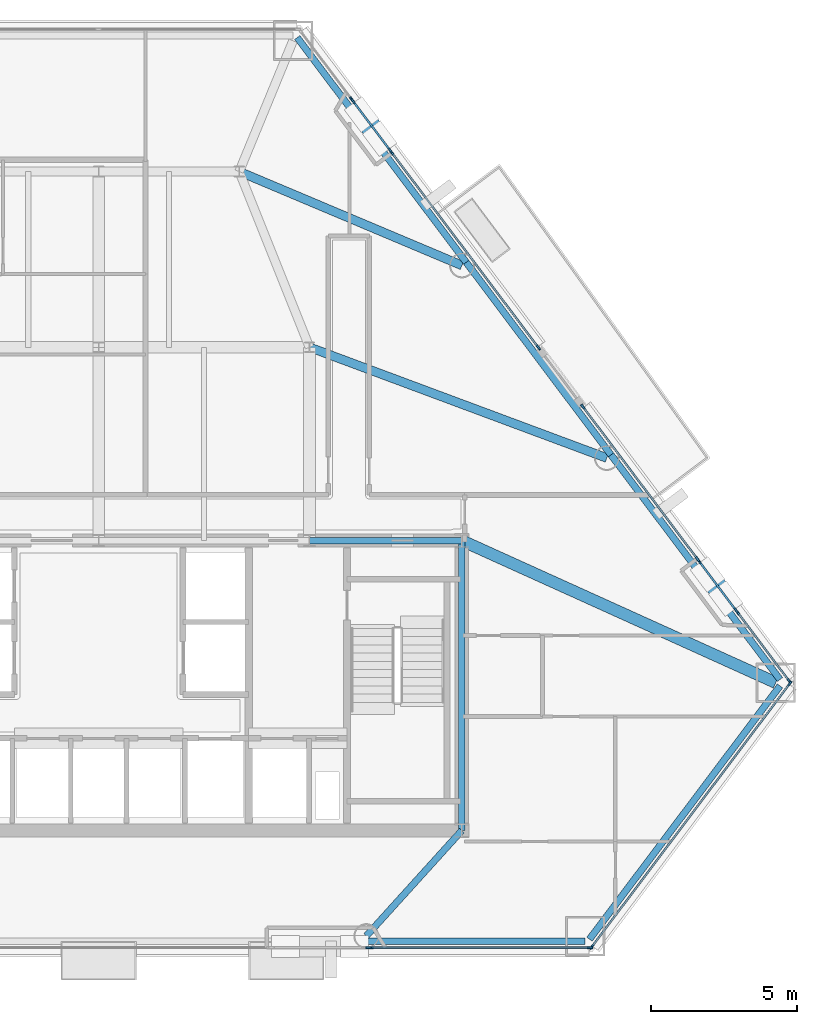
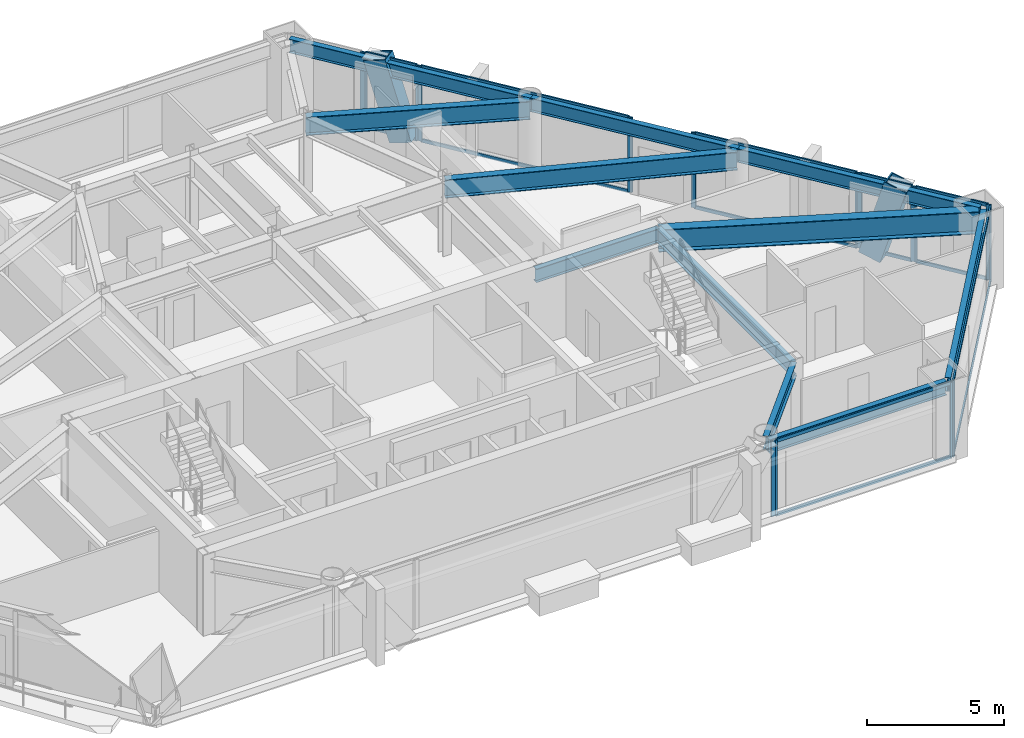
# One storey, part 4 of 10: 32 members, 11 beams, 9 elements without a shape of their own.
"""IFC4 building model written with IfcOpenShell, lengths in metres."""

import ifcopenshell
import ifcopenshell.guid

model = None  # the IFC model being written
_history = None  # IfcOwnerHistory: only IFC2X3 demands one
_inside = {}  # id of a spatial element -> (the spatial element, [elements in it])
_under = {}  # id of a project, library or spatial element -> (it, [spatial elements below it])
_declared = {}  # id of a project -> (the project, [libraries it declares])
_typed = {}  # id of a type object -> (the type object, [elements of that type])
_made_of = {}  # id of a material, layer set ... -> (it, [elements and type objects made of it])


def new_model(schema):
    """Start an empty IFC model of exactly this schema.

    Asked for "IFC4X3", IfcOpenShell would pick the latest addendum, in which some entities
    have other attributes; the version numbers below select the first issue.
    IFC2X3 requires an IfcOwnerHistory on every rooted entity: one is made here for all.
    """
    global model, _history
    if schema == "IFC4X3":
        model = ifcopenshell.file(schema_version=(4, 3, 0, 0))
    else:
        model = ifcopenshell.file(schema=schema)
    _inside.clear()
    _under.clear()
    _declared.clear()
    _typed.clear()
    _made_of.clear()
    _history = None
    if model.schema == "IFC2X3":
        org = make("IfcOrganization", Name="unknown")
        user = make(
            "IfcPersonAndOrganization",
            ThePerson=make("IfcPerson", FamilyName="unknown"),
            TheOrganization=org,
        )
        app = make(
            "IfcApplication",
            ApplicationDeveloper=org,
            Version="unknown",
            ApplicationFullName="unknown",
            ApplicationIdentifier="unknown",
        )
        _history = make(
            "IfcOwnerHistory",
            OwningUser=user,
            OwningApplication=app,
            ChangeAction="ADDED",
            CreationDate=0,
        )
    return model


def make(cls, **values):
    """One entity of the class cls with the attributes given. An attribute that is None is left unset."""
    return model.create_entity(
        cls, **{name: value for name, value in values.items() if value is not None}
    )


def rooted(cls, **values):
    """An entity with a GlobalId (a new one), such as an element, a storey or a relation."""
    return make(cls, GlobalId=ifcopenshell.guid.new(), OwnerHistory=_history, **values)


def si_unit(unit_type, name, prefix=None):
    """IfcSIUnit, for example si_unit("LENGTHUNIT", "METRE", prefix="MILLI")."""
    return make("IfcSIUnit", UnitType=unit_type, Prefix=prefix, Name=name)


def assignment(units):
    """IfcUnitAssignment: the units of a project."""
    return None if units is None else make("IfcUnitAssignment", Units=units)


def point(xyz):
    """IfcCartesianPoint."""
    return None if xyz is None else make("IfcCartesianPoint", Coordinates=xyz)


def direction(xyz):
    """IfcDirection."""
    return None if xyz is None else make("IfcDirection", DirectionRatios=xyz)


def frame(location, z_axis=None, x_axis=None):
    """IfcAxis2Placement3D, a coordinate frame: its origin and axes. An axis left out is left unset."""
    return make(
        "IfcAxis2Placement3D",
        Location=point(location),
        Axis=direction(z_axis),
        RefDirection=direction(x_axis),
    )


def frame_2d(location, x_axis=None):
    """IfcAxis2Placement2D, a coordinate frame in the plane: its origin and x axis."""
    return make(
        "IfcAxis2Placement2D", Location=point(location), RefDirection=direction(x_axis)
    )


def origin():
    """The frame at (0, 0, 0) with its axes left unset."""
    return frame((0.0, 0.0, 0.0))


def origin_2d():
    """The frame at (0, 0) in the plane with its x axis left unset."""
    return frame_2d((0.0, 0.0))


def place(relative_to, where):
    """IfcLocalPlacement: puts the frame where relative to a parent placement (None: the world)."""
    return make(
        "IfcLocalPlacement", PlacementRelTo=relative_to, RelativePlacement=where
    )


def context(
    kind, dimensions, precision=None, world=None, true_north=None, identifier=None
):
    """IfcGeometricRepresentationContext, for example the 3D "Model" context."""
    return make(
        "IfcGeometricRepresentationContext",
        ContextIdentifier=identifier,
        ContextType=kind,
        CoordinateSpaceDimension=dimensions,
        Precision=precision,
        WorldCoordinateSystem=world,
        TrueNorth=true_north,
    )


def subcontext(parent, identifier, kind, view, scale=None):
    """IfcGeometricRepresentationSubContext, for example "Body" below "Model"."""
    return make(
        "IfcGeometricRepresentationSubContext",
        ContextIdentifier=identifier,
        ContextType=kind,
        ParentContext=parent,
        TargetScale=scale,
        TargetView=view,
    )


def project(units=None, contexts=None):
    """IfcProject with its units and contexts."""
    return rooted(
        "IfcProject",
        Name="project",
        RepresentationContexts=contexts,
        UnitsInContext=assignment(units),
    )


def spatial(cls, under=None, at=None, **own):
    """A site, building, storey or space (cls), placed at a placement, below another one or the project."""
    s = rooted(cls, ObjectPlacement=at, **own)
    if under is not None:
        _under.setdefault(under.id(), (under, []))[1].append(s)
    return s


def profile(cls, at=None, kind="AREA", **sizes):
    """A parametric profile (cls). Its sizes go by their IFC names, for example OverallWidth=200.0."""
    return make(cls, ProfileType=kind, Position=at, **sizes)


def rectangle(**sizes):
    """IfcRectangleProfileDef."""
    return profile("IfcRectangleProfileDef", **sizes)


def hollow_rectangle(**sizes):
    """IfcRectangleHollowProfileDef."""
    return profile("IfcRectangleHollowProfileDef", **sizes)


def i_section(**sizes):
    """IfcIShapeProfileDef."""
    return profile("IfcIShapeProfileDef", **sizes)


def extrude(swept, where, along, depth):
    """IfcExtrudedAreaSolid: the profile swept, set in the frame where, extruded along a direction by depth."""
    return make(
        "IfcExtrudedAreaSolid",
        SweptArea=swept,
        Position=where,
        ExtrudedDirection=direction(along),
        Depth=depth,
    )


def shape(context_of_items, identifier, shape_type, items):
    """IfcShapeRepresentation: the items that make up one representation, for example the "Body"."""
    return make(
        "IfcShapeRepresentation",
        ContextOfItems=context_of_items,
        RepresentationIdentifier=identifier,
        RepresentationType=shape_type,
        Items=items,
    )


def material(Name=None, Category=None):
    """IfcMaterial."""
    return make("IfcMaterial", Name=Name, Category=Category)


def layer(
    of_material, thickness, ventilated=None, Name=None, Category=None, Priority=None
):
    """IfcMaterialLayer: one layer of a wall or slab, of a material (None: an air gap)."""
    return make(
        "IfcMaterialLayer",
        Material=of_material,
        LayerThickness=thickness,
        IsVentilated=ventilated,
        Name=Name,
        Category=Category,
        Priority=Priority,
    )


def layer_set(layers, Name=None):
    """IfcMaterialLayerSet."""
    return make("IfcMaterialLayerSet", MaterialLayers=layers, LayerSetName=Name)


def material_profile(
    of_material, cross_section, Name=None, Category=None, Priority=None
):
    """IfcMaterialProfile: a cross section and its material."""
    return make(
        "IfcMaterialProfile",
        Name=Name,
        Material=of_material,
        Profile=cross_section,
        Priority=Priority,
        Category=Category,
    )


def profile_set(profiles, Name=None, composite=None):
    """IfcMaterialProfileSet."""
    return make(
        "IfcMaterialProfileSet",
        Name=Name,
        MaterialProfiles=profiles,
        CompositeProfile=composite,
    )


def made_of(thing, what):
    """Note that an element or type object is made of a material, layer set ...; save() writes the relation."""
    if what is not None:
        _made_of.setdefault(what.id(), (what, []))[1].append(thing)
    return thing


def type_object(cls, material=None, **own):
    """A type object (cls), such as IfcWallType, which elements share."""
    return made_of(rooted(cls, **own), material)


def element(
    cls,
    number,
    at=None,
    inside=None,
    cuts=None,
    type_object=None,
    material=None,
    context=None,
    identifier="Body",
    shape_type=None,
    held_by="IfcProductDefinitionShape",
    body=None,
    shapes=None,
    **own,
):
    """One element of the class cls, such as IfcWall. Its Tag is "e" and its number.

    at: its placement. inside: the storey or other place that contains it. cuts: it is an
    opening in that element (IfcRelVoidsElement). A single representation is given by context,
    identifier, shape_type and body (its items); several are given by shapes. held_by: the class
    of the entity that holds the representations. save() writes the other relations.
    """
    e = rooted(cls, Tag="e%d" % number, ObjectPlacement=at, **own)
    if body is not None:
        shapes = [shape(context, identifier, shape_type, body)]
    if shapes is not None:
        e.Representation = make(held_by, Representations=shapes)
    if inside is not None:
        _inside.setdefault(inside.id(), (inside, []))[1].append(e)
    if cuts is not None:
        rooted(
            "IfcRelVoidsElement", RelatingBuildingElement=cuts, RelatedOpeningElement=e
        )
    if type_object is not None:
        _typed.setdefault(type_object.id(), (type_object, []))[1].append(e)
    return made_of(e, material)


def aggregate(whole, parts):
    """IfcRelAggregates: a whole, such as a stair, and the parts it consists of."""
    return rooted("IfcRelAggregates", RelatingObject=whole, RelatedObjects=parts)


def save(model, path):
    """Write the relations noted so far, then the file.

    IfcRelAggregates (storeys below a building ...), IfcRelContainedInSpatialStructure (elements
    in a storey), IfcRelDefinesByType, IfcRelAssociatesMaterial and IfcRelDeclares: one each for
    every whole, place, type object, material and project.
    """
    for whole, parts in _under.values():
        aggregate(whole, parts)
    for where, things in _inside.values():
        rooted(
            "IfcRelContainedInSpatialStructure",
            RelatedElements=things,
            RelatingStructure=where,
        )
    for kind, things in _typed.values():
        rooted("IfcRelDefinesByType", RelatedObjects=things, RelatingType=kind)
    for what, things in _made_of.values():
        rooted("IfcRelAssociatesMaterial", RelatedObjects=things, RelatingMaterial=what)
    for by, libraries in _declared.values():
        rooted("IfcRelDeclares", RelatingContext=by, RelatedDefinitions=libraries)
    model.write(path)


model = new_model("IFC4")

# Units and contexts
model_context = context("Model", 3, precision=1e-05, world=origin(), true_north=direction((0.0, 1.0)))
body_context = subcontext(model_context, "Body", "Model", "MODEL_VIEW")
ifc_project = project(units=[si_unit("LENGTHUNIT", "METRE"), si_unit("AREAUNIT", "SQUARE_METRE"), si_unit("VOLUMEUNIT", "CUBIC_METRE"), si_unit("PLANEANGLEUNIT", "RADIAN"), si_unit("MASSUNIT", "GRAM", prefix="KILO")], contexts=[model_context])

# Site, building, storey
site_placement = place(None, origin())
site = spatial("IfcSite", under=ifc_project, at=site_placement, CompositionType="ELEMENT")
building_placement = place(site_placement, origin())
building = spatial("IfcBuilding", under=site, at=building_placement, Name="Talgorran Terracotta Tower", CompositionType="ELEMENT")
storey_placement = place(building_placement, frame((0.0, 0.0, 82.800048828125)))
storey = spatial("IfcBuildingStorey", under=building, at=storey_placement, Name="L21", CompositionType="ELEMENT", Elevation=82.800048828125)

# Beams
ifc_material_1 = material(Name="Steel Grade 350 (350L0)", Category="steel")
ifc_material_profile_1 = material_profile(ifc_material_1, i_section(OverallWidth=0.39990234375, OverallDepth=1.0, WebThickness=0.01611328125, FlangeThickness=0.031005859375, at=origin_2d()), Name="1000WB296")
ifc_profile_set_1 = profile_set([ifc_material_profile_1], Name="Steel Grade 350 (350L0)")
beam_type_1 = type_object("IfcBeamType", Name="BM_1000WB296", PredefinedType="BEAM", material=ifc_profile_set_1)
beam_1_placement = place(storey_placement, frame((12.39990234375, -4.199951171875, 2.849853515625), z_axis=(0.911027575062, -0.412345434651, 0.0), x_axis=(0.412345434651, 0.911027575062, 0.0)))
element("IfcBeam", 1, at=beam_1_placement, inside=storey, type_object=beam_type_1, Name="L21 Floor Girder G18", PredefinedType="BEAM", context=body_context, shape_type="SweptSolid", body=[
    extrude(i_section(OverallWidth=0.39990234375, OverallDepth=1.0, WebThickness=0.01611328125, FlangeThickness=0.031005859375, at=origin_2d()), origin(), (0.0, 0.0, 1.0), 11.766357421875),
])
ifc_material_2 = material(Name="Steel S355 (300PLUS)", Category="steel")
ifc_material_profile_2 = material_profile(ifc_material_2, i_section(OverallWidth=0.300048828125, OverallDepth=0.81591796875, WebThickness=0.013916015625, FlangeThickness=0.028076171875, at=origin_2d()), Name="800WB192")
ifc_profile_set_2 = profile_set([ifc_material_profile_2], Name="Steel S355 (300PLUS)")
beam_type_2 = type_object("IfcBeamType", Name="BM_800WB192", PredefinedType="BEAM", material=ifc_profile_set_2)
beam_2_placement = place(storey_placement, frame((7.199951171875, 2.39990234375, 2.94189453125), z_axis=(0.93710770278, -0.34904033204, 0.0), x_axis=(0.34904033204, 0.93710770278, 0.0)))
element("IfcBeam", 2, at=beam_2_placement, inside=storey, type_object=beam_type_2, Name="L21 Floor Girder G07", PredefinedType="BEAM", context=body_context, shape_type="SweptSolid", body=[
    extrude(i_section(OverallWidth=0.300048828125, OverallDepth=0.81591796875, WebThickness=0.013916015625, FlangeThickness=0.028076171875, at=origin_2d()), origin(), (0.0, 0.0, 1.0), 10.831787109375),
])
beam_3_placement = place(storey_placement, frame((4.800048828125, 8.39990234375, 2.94189453125), z_axis=(0.921492221575, -0.388396814582, 0.0), x_axis=(0.388396814582, 0.921492221575, 0.0)))
element("IfcBeam", 3, at=beam_3_placement, inside=storey, type_object=beam_type_2, Name="L21 Floor Girder G14", PredefinedType="BEAM", context=body_context, shape_type="SweptSolid", body=[
    extrude(i_section(OverallWidth=0.300048828125, OverallDepth=0.81591796875, WebThickness=0.013916015625, FlangeThickness=0.028076171875, at=origin_2d()), origin(), (0.0, 0.0, 1.0), 8.25390625),
])
ifc_material_profile_3 = material_profile(ifc_material_2, i_section(OverallWidth=0.22900390625, OverallDepth=0.611572265625, WebThickness=0.011962890625, FlangeThickness=0.01953125, at=origin_2d()), Name="610UB125")
ifc_profile_set_3 = profile_set([ifc_material_profile_3], Name="Steel S355 (300PLUS)")
beam_type_3 = type_object("IfcBeamType", Name="BM_SP_610UB125", PredefinedType="SPANDREL", material=ifc_profile_set_3)
beam_4_placement = place(storey_placement, frame((9.1376953125, -17.882080078125, 3.044189453125), z_axis=(1.0, 0.0, 0.0), x_axis=(0.0, 1.0, 0.0)))
element("IfcBeam", 4, at=beam_4_placement, inside=storey, type_object=beam_type_3, Name="L21 Perimeter Spandrel Beam FC2-MC3", PredefinedType="SPANDREL", context=body_context, shape_type="SweptSolid", body=[
    extrude(i_section(OverallWidth=0.22900390625, OverallDepth=0.611572265625, WebThickness=0.011962890625, FlangeThickness=0.01953125, at=origin_2d()), origin(), (0.0, 0.0, 1.0), 7.47607421875),
])
beam_5_placement = place(storey_placement, frame((16.7578125, -17.810302734375, 3.044189453125), z_axis=(0.601053302012, 0.799208938976, 0.0), x_axis=(-0.799208938976, 0.601053302012, 0.0)))
element("IfcBeam", 5, at=beam_5_placement, inside=storey, type_object=beam_type_3, Name="L21 Perimeter Spandrel Beam MC3-MC4", PredefinedType="SPANDREL", context=body_context, shape_type="SweptSolid", body=[
    extrude(i_section(OverallWidth=0.22900390625, OverallDepth=0.611572265625, WebThickness=0.011962890625, FlangeThickness=0.01953125, at=origin_2d()), origin(), (0.0, 0.0, 1.0), 10.82373046875),
])
beam_6_placement = place(storey_placement, frame((23.263427734375, -8.943603515625, 3.044189453125), z_axis=(-0.601057621452, 0.799205690479, 0.0), x_axis=(-0.799205690479, -0.601057621452, 0.0)))
element("IfcBeam", 6, at=beam_6_placement, inside=storey, type_object=beam_type_3, Name="L21 Perimeter Spandrel Beam MC4-FC3", PredefinedType="SPANDREL", context=body_context, shape_type="SweptSolid", body=[
    extrude(i_section(OverallWidth=0.22900390625, OverallDepth=0.611572265625, WebThickness=0.011962890625, FlangeThickness=0.01953125, at=origin_2d()), origin(), (0.0, 0.0, 1.0), 9.59814453125),
])
beam_7_placement = place(storey_placement, frame((17.494384765625, -1.272705078125, 3.044189453125), z_axis=(-0.601025104516, 0.799230144415, 0.0), x_axis=(-0.799230144415, -0.601025104516, 0.0)))
element("IfcBeam", 7, at=beam_7_placement, inside=storey, type_object=beam_type_3, Name="L21 Perimeter Spandrel Beam FC3-FC4", PredefinedType="SPANDREL", context=body_context, shape_type="SweptSolid", body=[
    extrude(i_section(OverallWidth=0.22900390625, OverallDepth=0.611572265625, WebThickness=0.011962890625, FlangeThickness=0.01953125, at=origin_2d()), origin(), (0.0, 0.0, 1.0), 8.226806640625),
])
beam_8_placement = place(storey_placement, frame((12.5498046875, 5.302490234375, 3.044189453125), z_axis=(-0.601041374216, 0.799217909259, 0.0), x_axis=(-0.799217909259, -0.601041374216, 0.0)))
element("IfcBeam", 8, at=beam_8_placement, inside=storey, type_object=beam_type_3, Name="L21 Perimeter Spandrel Beam FC4-MC5", PredefinedType="SPANDREL", context=body_context, shape_type="SweptSolid", body=[
    extrude(i_section(OverallWidth=0.22900390625, OverallDepth=0.611572265625, WebThickness=0.011962890625, FlangeThickness=0.01953125, at=origin_2d()), origin(), (0.0, 0.0, 1.0), 9.597900390625),
])
beam_9_placement = place(storey_placement, frame((12.39990234375, -14.10009765625, 3.044189453125), z_axis=(-0.671276308116, -0.741207203259, 0.0), x_axis=(0.741207203259, -0.671276308116, 0.0)))
element("IfcBeam", 9, at=beam_9_placement, inside=storey, type_object=beam_type_3, Name="L21 South-East Core Tie Beam", PredefinedType="SPANDREL", context=body_context, shape_type="SweptSolid", body=[
    extrude(i_section(OverallWidth=0.22900390625, OverallDepth=0.611572265625, WebThickness=0.011962890625, FlangeThickness=0.01953125, at=origin_2d()), origin(), (0.0, 0.0, 1.0), 4.859619140625),
])
beam_10_placement = place(storey_placement, frame((12.39990234375, -14.10009765625, 3.044189453125), z_axis=(0.0, 1.0, 0.0), x_axis=(-1.0, 0.0, 0.0)))
element("IfcBeam", 10, at=beam_10_placement, inside=storey, type_object=beam_type_3, Name="L21 Core Frame Beam CFE", PredefinedType="SPANDREL", context=body_context, shape_type="SweptSolid", body=[
    extrude(i_section(OverallWidth=0.22900390625, OverallDepth=0.611572265625, WebThickness=0.011962890625, FlangeThickness=0.01953125, at=origin_2d()), origin(), (0.0, 0.0, 1.0), 9.900146484375),
])
beam_11_placement = place(storey_placement, frame((7.199951171875, -4.199951171875, 3.044189453125), z_axis=(1.0, 0.0, 0.0), x_axis=(0.0, 1.0, 0.0)))
element("IfcBeam", 11, at=beam_11_placement, inside=storey, type_object=beam_type_3, Name="L21 Core Frame Beam CFN4", PredefinedType="SPANDREL", context=body_context, shape_type="SweptSolid", body=[
    extrude(i_section(OverallWidth=0.22900390625, OverallDepth=0.611572265625, WebThickness=0.011962890625, FlangeThickness=0.01953125, at=origin_2d()), origin(), (0.0, 0.0, 1.0), 5.199951171875),
])

# Members
ifc_material_profile_4 = material_profile(ifc_material_1, hollow_rectangle(XDim=0.699951171875, YDim=0.89990234375, WallThickness=0.050048828125, at=origin_2d()), Name="WBOX900X700X50")
ifc_profile_set_4 = profile_set([ifc_material_profile_4], Name="Steel Grade 350 (350L0)")
member_type_1 = type_object("IfcMemberType", Name="MB_MEGA_900", PredefinedType="BRACE", material=ifc_profile_set_4)
for number, where, z_axis, x_axis, name in (
    (12, (20.788818359375, -5.353759765625, -0.025146484375), (0.174459396222, -0.231971217663, 0.956949984715), (0.79920388083, 0.601060027674, 0.0), "L21 Exterior Face Mega-Brace MB-1 (NEL)"),
    (13, (9.59765625, 9.527099609375, -0.025146484375), (-0.174459396222, 0.231971217663, 0.956949984715), (-0.79920388083, -0.601060027674, 0.0), "L21 Exterior Face Mega-Brace MB-1 (NEU)"),
):
    element("IfcMember", number, at=place(storey_placement, frame(where, z_axis=z_axis, x_axis=x_axis)), inside=storey, type_object=member_type_1, Name=name, PredefinedType="BRACE", context=body_context, shape_type="SweptSolid", body=[
        extrude(hollow_rectangle(XDim=0.699951171875, YDim=0.89990234375, WallThickness=0.050048828125, at=origin_2d()), origin(), (0.0, 0.0, 1.0), 3.55322265625),
    ])

# Curtain wall, member
ifc_material_3 = material(Name="Unitised Low-E Double Glazing", Category="glass")
ifc_layer = layer(ifc_material_3, 0.199951171875, Name="CW_SYS2_RES_LOW")
ifc_layer_set = layer_set([ifc_layer], Name="Unitised Low-E Double Glazing")
curtain_wall_type = type_object("IfcCurtainWallType", Name="CW_SYS2_RES_LOW", PredefinedType="NOTDEFINED", material=ifc_layer_set)
curtain_wall_1_placement = place(storey_placement, origin())
curtain_wall_1 = element("IfcCurtainWall", 14, at=curtain_wall_1_placement, inside=storey, type_object=curtain_wall_type, Name="CW-L21-F1D", PredefinedType="NOTDEFINED")
ifc_material_4 = material(Name="Architectural Aluminium 6063-T6", Category="aluminium")
ifc_material_profile_5 = material_profile(ifc_material_4, rectangle(XDim=0.06494140625, YDim=0.18505859375, at=origin_2d()), Name="CWM65X185")
ifc_profile_set_5 = profile_set([ifc_material_profile_5], Name="Architectural Aluminium 6063-T6")
member_type_2 = type_object("IfcMemberType", Name="MUL_65X185", PredefinedType="MULLION", material=ifc_profile_set_5)
member_1_placement = place(storey_placement, frame((9.215087890625, -18.102294921875, 0.0), z_axis=(0.0, 0.0, 1.0), x_axis=(0.0, 1.0, 0.0)))
member_1 = element("IfcMember", 15, at=member_1_placement, type_object=member_type_2, Name="CW-L21-1D mullion 2", PredefinedType="MULLION", context=body_context, shape_type="SweptSolid", body=[
    extrude(rectangle(XDim=0.06494140625, YDim=0.18505859375, at=origin_2d()), origin(), (0.0, 0.0, 1.0), 3.349853515625),
])
aggregate(curtain_wall_1, [member_1])

# Curtain wall, members
curtain_wall_2_placement = place(storey_placement, origin())
curtain_wall_2 = element("IfcCurtainWall", 16, at=curtain_wall_2_placement, inside=storey, type_object=curtain_wall_type, Name="CW-L21-F1E", PredefinedType="NOTDEFINED")
member_2_placement = place(storey_placement, frame((9.290283203125, -18.102294921875, 0.0), z_axis=(0.0, 0.0, 1.0), x_axis=(0.0, 1.0, 0.0)))
member_2 = element("IfcMember", 17, at=member_2_placement, type_object=member_type_2, Name="CW-L21-1E mullion 1", PredefinedType="MULLION", context=body_context, shape_type="SweptSolid", body=[
    extrude(rectangle(XDim=0.06494140625, YDim=0.18505859375, at=origin_2d()), origin(), (0.0, 0.0, 1.0), 3.349853515625),
])
member_3_placement = place(storey_placement, frame((16.781005859375, -18.102294921875, 0.0), z_axis=(0.0, 0.0, 1.0), x_axis=(0.0, 1.0, 0.0)))
member_3 = element("IfcMember", 18, at=member_3_placement, type_object=member_type_2, Name="CW-L21-1E mullion 2", PredefinedType="MULLION", context=body_context, shape_type="SweptSolid", body=[
    extrude(rectangle(XDim=0.06494140625, YDim=0.18505859375, at=origin_2d()), origin(), (0.0, 0.0, 1.0), 3.349853515625),
])

curtain_wall_3_placement = place(storey_placement, origin())
curtain_wall_3 = element("IfcCurtainWall", 19, at=curtain_wall_3_placement, inside=storey, type_object=curtain_wall_type, Name="CW-L21-F2", PredefinedType="NOTDEFINED")
member_4_placement = place(storey_placement, frame((16.8330078125, -18.076171875, 0.0), z_axis=(0.0, 0.0, 1.0), x_axis=(-0.799209855428, 0.601052083423, 0.0)))
member_4 = element("IfcMember", 20, at=member_4_placement, type_object=member_type_2, Name="CW-L21-2 mullion 1", PredefinedType="MULLION", context=body_context, shape_type="SweptSolid", body=[
    extrude(rectangle(XDim=0.06494140625, YDim=0.18505859375, at=origin_2d()), origin(), (0.0, 0.0, 1.0), 3.349853515625),
])
member_5_placement = place(storey_placement, frame((23.6005859375, -9.07763671875, 0.0), z_axis=(0.0, 0.0, 1.0), x_axis=(-0.799209855428, 0.601052083423, 0.0)))
member_5 = element("IfcMember", 21, at=member_5_placement, type_object=member_type_2, Name="CW-L21-2 mullion 2", PredefinedType="MULLION", context=body_context, shape_type="SweptSolid", body=[
    extrude(rectangle(XDim=0.06494140625, YDim=0.18505859375, at=origin_2d()), origin(), (0.0, 0.0, 1.0), 3.349853515625),
])

curtain_wall_4_placement = place(storey_placement, origin())
curtain_wall_4 = element("IfcCurtainWall", 22, at=curtain_wall_4_placement, inside=storey, type_object=curtain_wall_type, Name="CW-L21-F40", PredefinedType="NOTDEFINED")
member_6_placement = place(storey_placement, frame((23.576416015625, -8.99365234375, 0.0), z_axis=(0.0, 0.0, 1.0), x_axis=(-0.799195320065, -0.601071410388, 0.0)))
member_6 = element("IfcMember", 23, at=member_6_placement, type_object=member_type_2, Name="CW-L21-40 mullion 1", PredefinedType="MULLION", context=body_context, shape_type="SweptSolid", body=[
    extrude(rectangle(XDim=0.06494140625, YDim=0.18505859375, at=origin_2d()), origin(), (0.0, 0.0, 1.0), 3.349853515625),
])
member_7_placement = place(storey_placement, frame((21.812255859375, -6.64794921875, 0.0), z_axis=(0.0, 0.0, 1.0), x_axis=(-0.799195320065, -0.601071410388, 0.0)))
member_7 = element("IfcMember", 24, at=member_7_placement, type_object=member_type_2, Name="CW-L21-40 mullion 2", PredefinedType="MULLION", context=body_context, shape_type="SweptSolid", body=[
    extrude(rectangle(XDim=0.06494140625, YDim=0.18505859375, at=origin_2d()), origin(), (0.0, 0.0, 1.0), 3.349853515625),
])

curtain_wall_5_placement = place(storey_placement, origin())
curtain_wall_5 = element("IfcCurtainWall", 25, at=curtain_wall_5_placement, inside=storey, type_object=curtain_wall_type, Name="CW-L21-F40B", PredefinedType="NOTDEFINED")
member_8_placement = place(storey_placement, frame((21.76708984375, -6.588134765625, 0.0), z_axis=(0.0, 0.0, 1.0), x_axis=(-0.799213066718, -0.601047813395, 0.0)))
member_8 = element("IfcMember", 26, at=member_8_placement, type_object=member_type_2, Name="CW-L21-40B mullion 1", PredefinedType="MULLION", context=body_context, shape_type="SweptSolid", body=[
    extrude(rectangle(XDim=0.06494140625, YDim=0.18505859375, at=origin_2d()), origin(), (0.0, 0.0, 1.0), 3.349853515625),
])
member_9_placement = place(storey_placement, frame((20.494384765625, -4.895751953125, 0.0), z_axis=(0.0, 0.0, 1.0), x_axis=(-0.799213066718, -0.601047813395, 0.0)))
member_9 = element("IfcMember", 27, at=member_9_placement, type_object=member_type_2, Name="CW-L21-40B mullion 2", PredefinedType="MULLION", context=body_context, shape_type="SweptSolid", body=[
    extrude(rectangle(XDim=0.06494140625, YDim=0.18505859375, at=origin_2d()), origin(), (0.0, 0.0, 1.0), 3.349853515625),
])

curtain_wall_6_placement = place(storey_placement, origin())
curtain_wall_6 = element("IfcCurtainWall", 28, at=curtain_wall_6_placement, inside=storey, type_object=curtain_wall_type, Name="CW-L21-F40C", PredefinedType="NOTDEFINED")
member_10_placement = place(storey_placement, frame((20.449462890625, -4.835693359375, 0.0), z_axis=(0.0, 0.0, 1.0), x_axis=(-0.799209656604, -0.601052347796, 0.0)))
member_10 = element("IfcMember", 29, at=member_10_placement, type_object=member_type_2, Name="CW-L21-40C mullion 1", PredefinedType="MULLION", context=body_context, shape_type="SweptSolid", body=[
    extrude(rectangle(XDim=0.06494140625, YDim=0.18505859375, at=origin_2d()), origin(), (0.0, 0.0, 1.0), 3.349853515625),
])
member_11_placement = place(storey_placement, frame((16.533447265625, 0.371337890625, 0.0), z_axis=(0.0, 0.0, 1.0), x_axis=(-0.799209656604, -0.601052347796, 0.0)))
member_11 = element("IfcMember", 30, at=member_11_placement, type_object=member_type_2, Name="CW-L21-40C mullion 2", PredefinedType="MULLION", context=body_context, shape_type="SweptSolid", body=[
    extrude(rectangle(XDim=0.06494140625, YDim=0.18505859375, at=origin_2d()), origin(), (0.0, 0.0, 1.0), 3.349853515625),
])

curtain_wall_7_placement = place(storey_placement, origin())
curtain_wall_7 = element("IfcCurtainWall", 31, at=curtain_wall_7_placement, inside=storey, type_object=curtain_wall_type, Name="CW-L21-F41", PredefinedType="NOTDEFINED")
member_12_placement = place(storey_placement, frame((15.015869140625, 2.38916015625, 0.0), z_axis=(0.0, 0.0, 1.0), x_axis=(-0.799212932758, -0.601047991522, 0.0)))
member_12 = element("IfcMember", 32, at=member_12_placement, type_object=member_type_2, Name="CW-L21-41 mullion 1", PredefinedType="MULLION", context=body_context, shape_type="SweptSolid", body=[
    extrude(rectangle(XDim=0.06494140625, YDim=0.18505859375, at=origin_2d()), origin(), (0.0, 0.0, 1.0), 3.349853515625),
])
member_13_placement = place(storey_placement, frame((10.001220703125, 9.05712890625, 0.0), z_axis=(0.0, 0.0, 1.0), x_axis=(-0.799212932758, -0.601047991522, 0.0)))
member_13 = element("IfcMember", 33, at=member_13_placement, type_object=member_type_2, Name="CW-L21-41 mullion 2", PredefinedType="MULLION", context=body_context, shape_type="SweptSolid", body=[
    extrude(rectangle(XDim=0.06494140625, YDim=0.18505859375, at=origin_2d()), origin(), (0.0, 0.0, 1.0), 3.349853515625),
])

curtain_wall_8_placement = place(storey_placement, origin())
curtain_wall_8 = element("IfcCurtainWall", 34, at=curtain_wall_8_placement, inside=storey, type_object=curtain_wall_type, Name="CW-L21-F41B", PredefinedType="NOTDEFINED")
member_14_placement = place(storey_placement, frame((9.9560546875, 9.1171875, 0.0), z_axis=(0.0, 0.0, 1.0), x_axis=(-0.799191057138, -0.601077078411, 0.0)))
member_14 = element("IfcMember", 35, at=member_14_placement, type_object=member_type_2, Name="CW-L21-41B mullion 1", PredefinedType="MULLION", context=body_context, shape_type="SweptSolid", body=[
    extrude(rectangle(XDim=0.06494140625, YDim=0.18505859375, at=origin_2d()), origin(), (0.0, 0.0, 1.0), 3.349853515625),
])
member_15_placement = place(storey_placement, frame((8.683349609375, 10.8095703125, 0.0), z_axis=(0.0, 0.0, 1.0), x_axis=(-0.799191057138, -0.601077078411, 0.0)))
member_15 = element("IfcMember", 36, at=member_15_placement, type_object=member_type_2, Name="CW-L21-41B mullion 2", PredefinedType="MULLION", context=body_context, shape_type="SweptSolid", body=[
    extrude(rectangle(XDim=0.06494140625, YDim=0.18505859375, at=origin_2d()), origin(), (0.0, 0.0, 1.0), 3.349853515625),
])

# Curtain wall, member
curtain_wall_9_placement = place(storey_placement, origin())
curtain_wall_9 = element("IfcCurtainWall", 37, at=curtain_wall_9_placement, inside=storey, type_object=curtain_wall_type, Name="CW-L21-F41C", PredefinedType="NOTDEFINED")
member_16_placement = place(storey_placement, frame((8.63818359375, 10.869384765625, 0.0), z_axis=(0.0, 0.0, 1.0), x_axis=(-0.799212675264, -0.601048333912, 0.0)))
member_16 = element("IfcMember", 38, at=member_16_placement, type_object=member_type_2, Name="CW-L21-41C mullion 1", PredefinedType="MULLION", context=body_context, shape_type="SweptSolid", body=[
    extrude(rectangle(XDim=0.06494140625, YDim=0.18505859375, at=origin_2d()), origin(), (0.0, 0.0, 1.0), 3.349853515625),
])
aggregate(curtain_wall_9, [member_16])

# Member
ifc_material_profile_6 = material_profile(ifc_material_4, rectangle(XDim=0.06494140625, YDim=0.14990234375, at=origin_2d()), Name="CWT65X150")
ifc_profile_set_6 = profile_set([ifc_material_profile_6], Name="Architectural Aluminium 6063-T6")
member_type_3 = type_object("IfcMemberType", Name="TRN_65X150", PredefinedType="USERDEFINED", material=ifc_profile_set_6)
member_17_placement = place(storey_placement, frame((9.32275390625, -18.102294921875, 0.032470703125), z_axis=(1.0, 0.0, 0.0), x_axis=(0.0, 1.0, 0.0)))
member_17 = element("IfcMember", 39, at=member_17_placement, type_object=member_type_3, Name="CW-L21-1E transom 1.1", ObjectType="TRANSOM", PredefinedType="USERDEFINED", context=body_context, shape_type="SweptSolid", body=[
    extrude(rectangle(XDim=0.06494140625, YDim=0.14990234375, at=origin_2d()), origin(), (0.0, 0.0, 1.0), 7.42578125),
])

member_18_placement = place(storey_placement, frame((9.32275390625, -18.102294921875, 3.3173828125), z_axis=(1.0, 0.0, 0.0), x_axis=(0.0, 1.0, 0.0)))
member_18 = element("IfcMember", 40, at=member_18_placement, type_object=member_type_3, Name="CW-L21-1E transom 1.2", ObjectType="TRANSOM", PredefinedType="USERDEFINED", context=body_context, shape_type="SweptSolid", body=[
    extrude(rectangle(XDim=0.06494140625, YDim=0.14990234375, at=origin_2d()), origin(), (0.0, 0.0, 1.0), 7.42578125),
])

aggregate(curtain_wall_2, [member_2, member_3, member_17, member_18])

member_19_placement = place(storey_placement, frame((16.8525390625, -18.05029296875, 0.032470703125), z_axis=(0.601049831562, 0.799211548953, 0.0), x_axis=(-0.799211548953, 0.601049831562, 0.0)))
member_19 = element("IfcMember", 41, at=member_19_placement, type_object=member_type_3, Name="CW-L21-2 transom 1.1", ObjectType="TRANSOM", PredefinedType="USERDEFINED", context=body_context, shape_type="SweptSolid", body=[
    extrude(rectangle(XDim=0.06494140625, YDim=0.14990234375, at=origin_2d()), origin(), (0.0, 0.0, 1.0), 11.194091796875),
])

member_20_placement = place(storey_placement, frame((16.8525390625, -18.05029296875, 3.3173828125), z_axis=(0.601049831562, 0.799211548953, 0.0), x_axis=(-0.799211548953, 0.601049831562, 0.0)))
member_20 = element("IfcMember", 42, at=member_20_placement, type_object=member_type_3, Name="CW-L21-2 transom 1.2", ObjectType="TRANSOM", PredefinedType="USERDEFINED", context=body_context, shape_type="SweptSolid", body=[
    extrude(rectangle(XDim=0.06494140625, YDim=0.14990234375, at=origin_2d()), origin(), (0.0, 0.0, 1.0), 11.194091796875),
])

aggregate(curtain_wall_3, [member_4, member_5, member_19, member_20])

member_21_placement = place(storey_placement, frame((23.556884765625, -8.9677734375, 0.032470703125), z_axis=(-0.601033827886, 0.799223584322, 0.0), x_axis=(-0.799223584322, -0.601033827886, 0.0)))
member_21 = element("IfcMember", 43, at=member_21_placement, type_object=member_type_3, Name="CW-L21-40 transom 1.1", ObjectType="TRANSOM", PredefinedType="USERDEFINED", context=body_context, shape_type="SweptSolid", body=[
    extrude(rectangle(XDim=0.06494140625, YDim=0.14990234375, at=origin_2d()), origin(), (0.0, 0.0, 1.0), 2.8701171875),
])

member_22_placement = place(storey_placement, frame((23.556884765625, -8.9677734375, 3.3173828125), z_axis=(-0.601033827886, 0.799223584322, 0.0), x_axis=(-0.799223584322, -0.601033827886, 0.0)))
member_22 = element("IfcMember", 44, at=member_22_placement, type_object=member_type_3, Name="CW-L21-40 transom 1.2", ObjectType="TRANSOM", PredefinedType="USERDEFINED", context=body_context, shape_type="SweptSolid", body=[
    extrude(rectangle(XDim=0.06494140625, YDim=0.14990234375, at=origin_2d()), origin(), (0.0, 0.0, 1.0), 2.8701171875),
])

aggregate(curtain_wall_4, [member_6, member_7, member_21, member_22])

member_23_placement = place(storey_placement, frame((21.74755859375, -6.56201171875, 0.032470703125), z_axis=(-0.601046232264, 0.799214255805, 0.0), x_axis=(-0.799214255805, -0.601046232264, 0.0)))
member_23 = element("IfcMember", 45, at=member_23_placement, type_object=member_type_3, Name="CW-L21-40B transom 1.1", ObjectType="TRANSOM", PredefinedType="USERDEFINED", context=body_context, shape_type="SweptSolid", body=[
    extrude(rectangle(XDim=0.06494140625, YDim=0.14990234375, at=origin_2d()), origin(), (0.0, 0.0, 1.0), 2.052490234375),
])

member_24_placement = place(storey_placement, frame((21.74755859375, -6.56201171875, 3.3173828125), z_axis=(-0.601046232264, 0.799214255805, 0.0), x_axis=(-0.799214255805, -0.601046232264, 0.0)))
member_24 = element("IfcMember", 46, at=member_24_placement, type_object=member_type_3, Name="CW-L21-40B transom 1.2", ObjectType="TRANSOM", PredefinedType="USERDEFINED", context=body_context, shape_type="SweptSolid", body=[
    extrude(rectangle(XDim=0.06494140625, YDim=0.14990234375, at=origin_2d()), origin(), (0.0, 0.0, 1.0), 2.052490234375),
])

aggregate(curtain_wall_5, [member_8, member_9, member_23, member_24])

member_25_placement = place(storey_placement, frame((20.429931640625, -4.809814453125, 0.032470703125), z_axis=(-0.601059275758, 0.799204446325, 0.0), x_axis=(-0.799204446325, -0.601059275758, 0.0)))
member_25 = element("IfcMember", 47, at=member_25_placement, type_object=member_type_3, Name="CW-L21-40C transom 1.1", ObjectType="TRANSOM", PredefinedType="USERDEFINED", context=body_context, shape_type="SweptSolid", body=[
    extrude(rectangle(XDim=0.06494140625, YDim=0.14990234375, at=origin_2d()), origin(), (0.0, 0.0, 1.0), 6.4501953125),
])

member_26_placement = place(storey_placement, frame((20.429931640625, -4.809814453125, 3.3173828125), z_axis=(-0.601059275758, 0.799204446325, 0.0), x_axis=(-0.799204446325, -0.601059275758, 0.0)))
member_26 = element("IfcMember", 48, at=member_26_placement, type_object=member_type_3, Name="CW-L21-40C transom 1.2", ObjectType="TRANSOM", PredefinedType="USERDEFINED", context=body_context, shape_type="SweptSolid", body=[
    extrude(rectangle(XDim=0.06494140625, YDim=0.14990234375, at=origin_2d()), origin(), (0.0, 0.0, 1.0), 6.4501953125),
])

aggregate(curtain_wall_6, [member_10, member_11, member_25, member_26])

member_27_placement = place(storey_placement, frame((14.996337890625, 2.415283203125, 0.032470703125), z_axis=(-0.601051763924, 0.79921009571, 0.0), x_axis=(-0.79921009571, -0.601051763924, 0.0)))
member_27 = element("IfcMember", 49, at=member_27_placement, type_object=member_type_3, Name="CW-L21-41 transom 1.1", ObjectType="TRANSOM", PredefinedType="USERDEFINED", context=body_context, shape_type="SweptSolid", body=[
    extrude(rectangle(XDim=0.06494140625, YDim=0.14990234375, at=origin_2d()), origin(), (0.0, 0.0, 1.0), 8.278076171875),
])

member_28_placement = place(storey_placement, frame((14.996337890625, 2.415283203125, 3.3173828125), z_axis=(-0.601051763924, 0.79921009571, 0.0), x_axis=(-0.79921009571, -0.601051763924, 0.0)))
member_28 = element("IfcMember", 50, at=member_28_placement, type_object=member_type_3, Name="CW-L21-41 transom 1.2", ObjectType="TRANSOM", PredefinedType="USERDEFINED", context=body_context, shape_type="SweptSolid", body=[
    extrude(rectangle(XDim=0.06494140625, YDim=0.14990234375, at=origin_2d()), origin(), (0.0, 0.0, 1.0), 8.278076171875),
])

aggregate(curtain_wall_7, [member_12, member_13, member_27, member_28])

member_29_placement = place(storey_placement, frame((9.9365234375, 9.14306640625, 0.032470703125), z_axis=(-0.601046232264, 0.799214255805, 0.0), x_axis=(-0.799214255805, -0.601046232264, 0.0)))
member_29 = element("IfcMember", 51, at=member_29_placement, type_object=member_type_3, Name="CW-L21-41B transom 1.1", ObjectType="TRANSOM", PredefinedType="USERDEFINED", context=body_context, shape_type="SweptSolid", body=[
    extrude(rectangle(XDim=0.06494140625, YDim=0.14990234375, at=origin_2d()), origin(), (0.0, 0.0, 1.0), 2.052490234375),
])

member_30_placement = place(storey_placement, frame((9.9365234375, 9.14306640625, 3.3173828125), z_axis=(-0.601046232264, 0.799214255805, 0.0), x_axis=(-0.799214255805, -0.601046232264, 0.0)))
member_30 = element("IfcMember", 52, at=member_30_placement, type_object=member_type_3, Name="CW-L21-41B transom 1.2", ObjectType="TRANSOM", PredefinedType="USERDEFINED", context=body_context, shape_type="SweptSolid", body=[
    extrude(rectangle(XDim=0.06494140625, YDim=0.14990234375, at=origin_2d()), origin(), (0.0, 0.0, 1.0), 2.052490234375),
])

aggregate(curtain_wall_8, [member_14, member_15, member_29, member_30])

save(model, "model.ifc")
